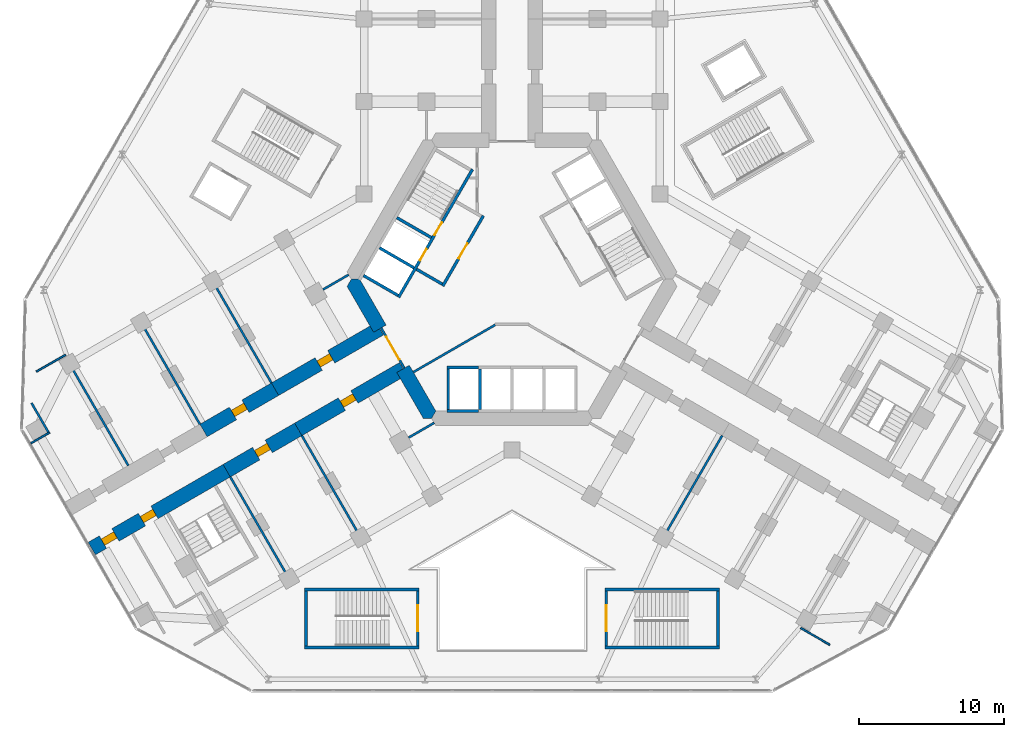
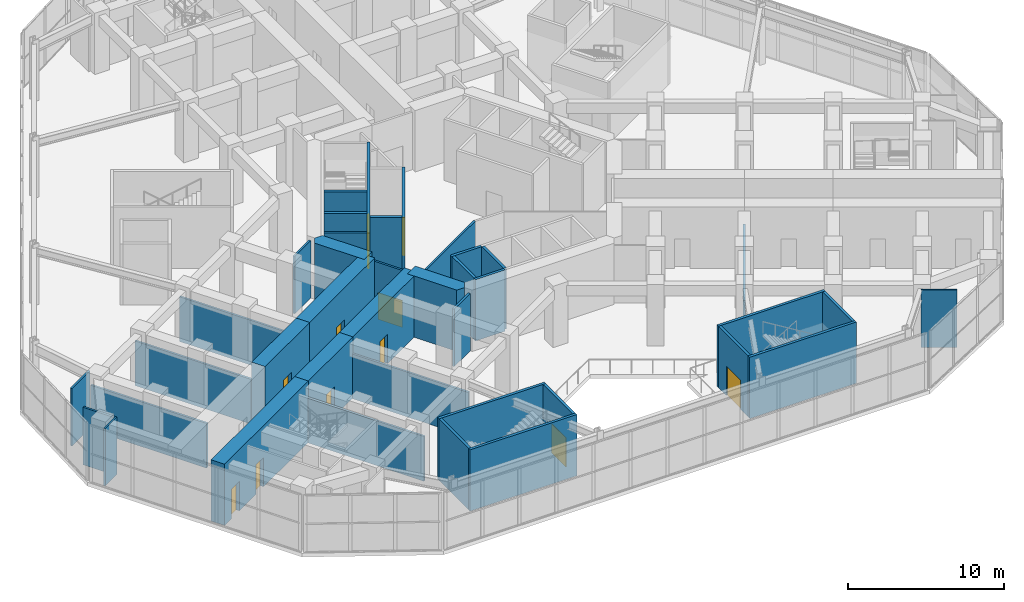
# One storey, part 15 of 21: 39 walls, 12 doors, 12 openings.
"""IFC4 building model written with IfcOpenShell, lengths in metres."""

import ifcopenshell
import ifcopenshell.guid

model = None  # the IFC model being written
_history = None  # IfcOwnerHistory: only IFC2X3 demands one
_inside = {}  # id of a spatial element -> (the spatial element, [elements in it])
_under = {}  # id of a project, library or spatial element -> (it, [spatial elements below it])
_declared = {}  # id of a project -> (the project, [libraries it declares])
_typed = {}  # id of a type object -> (the type object, [elements of that type])
_made_of = {}  # id of a material, layer set ... -> (it, [elements and type objects made of it])


def new_model(schema):
    """Start an empty IFC model of exactly this schema.

    Asked for "IFC4X3", IfcOpenShell would pick the latest addendum, in which some entities
    have other attributes; the version numbers below select the first issue.
    IFC2X3 requires an IfcOwnerHistory on every rooted entity: one is made here for all.
    """
    global model, _history
    if schema == "IFC4X3":
        model = ifcopenshell.file(schema_version=(4, 3, 0, 0))
    else:
        model = ifcopenshell.file(schema=schema)
    _inside.clear()
    _under.clear()
    _declared.clear()
    _typed.clear()
    _made_of.clear()
    _history = None
    if model.schema == "IFC2X3":
        org = make("IfcOrganization", Name="unknown")
        user = make(
            "IfcPersonAndOrganization",
            ThePerson=make("IfcPerson", FamilyName="unknown"),
            TheOrganization=org,
        )
        app = make(
            "IfcApplication",
            ApplicationDeveloper=org,
            Version="unknown",
            ApplicationFullName="unknown",
            ApplicationIdentifier="unknown",
        )
        _history = make(
            "IfcOwnerHistory",
            OwningUser=user,
            OwningApplication=app,
            ChangeAction="ADDED",
            CreationDate=0,
        )
    return model


def make(cls, **values):
    """One entity of the class cls with the attributes given. An attribute that is None is left unset."""
    return model.create_entity(
        cls, **{name: value for name, value in values.items() if value is not None}
    )


def rooted(cls, **values):
    """An entity with a GlobalId (a new one), such as an element, a storey or a relation."""
    return make(cls, GlobalId=ifcopenshell.guid.new(), OwnerHistory=_history, **values)


def si_unit(unit_type, name, prefix=None):
    """IfcSIUnit, for example si_unit("LENGTHUNIT", "METRE", prefix="MILLI")."""
    return make("IfcSIUnit", UnitType=unit_type, Prefix=prefix, Name=name)


def assignment(units):
    """IfcUnitAssignment: the units of a project."""
    return None if units is None else make("IfcUnitAssignment", Units=units)


def point(xyz):
    """IfcCartesianPoint."""
    return None if xyz is None else make("IfcCartesianPoint", Coordinates=xyz)


def direction(xyz):
    """IfcDirection."""
    return None if xyz is None else make("IfcDirection", DirectionRatios=xyz)


def frame(location, z_axis=None, x_axis=None):
    """IfcAxis2Placement3D, a coordinate frame: its origin and axes. An axis left out is left unset."""
    return make(
        "IfcAxis2Placement3D",
        Location=point(location),
        Axis=direction(z_axis),
        RefDirection=direction(x_axis),
    )


def frame_2d(location, x_axis=None):
    """IfcAxis2Placement2D, a coordinate frame in the plane: its origin and x axis."""
    return make(
        "IfcAxis2Placement2D", Location=point(location), RefDirection=direction(x_axis)
    )


def origin():
    """The frame at (0, 0, 0) with its axes left unset."""
    return frame((0.0, 0.0, 0.0))


def place(relative_to, where):
    """IfcLocalPlacement: puts the frame where relative to a parent placement (None: the world)."""
    return make(
        "IfcLocalPlacement", PlacementRelTo=relative_to, RelativePlacement=where
    )


def context(
    kind, dimensions, precision=None, world=None, true_north=None, identifier=None
):
    """IfcGeometricRepresentationContext, for example the 3D "Model" context."""
    return make(
        "IfcGeometricRepresentationContext",
        ContextIdentifier=identifier,
        ContextType=kind,
        CoordinateSpaceDimension=dimensions,
        Precision=precision,
        WorldCoordinateSystem=world,
        TrueNorth=true_north,
    )


def subcontext(parent, identifier, kind, view, scale=None):
    """IfcGeometricRepresentationSubContext, for example "Body" below "Model"."""
    return make(
        "IfcGeometricRepresentationSubContext",
        ContextIdentifier=identifier,
        ContextType=kind,
        ParentContext=parent,
        TargetScale=scale,
        TargetView=view,
    )


def project(units=None, contexts=None):
    """IfcProject with its units and contexts."""
    return rooted(
        "IfcProject",
        Name="project",
        RepresentationContexts=contexts,
        UnitsInContext=assignment(units),
    )


def spatial(cls, under=None, at=None, **own):
    """A site, building, storey or space (cls), placed at a placement, below another one or the project."""
    s = rooted(cls, ObjectPlacement=at, **own)
    if under is not None:
        _under.setdefault(under.id(), (under, []))[1].append(s)
    return s


def polyline(points):
    """IfcPolyline through the points."""
    return make("IfcPolyline", Points=[point(p) for p in points])


def profile(cls, at=None, kind="AREA", **sizes):
    """A parametric profile (cls). Its sizes go by their IFC names, for example OverallWidth=200.0."""
    return make(cls, ProfileType=kind, Position=at, **sizes)


def rectangle(**sizes):
    """IfcRectangleProfileDef."""
    return profile("IfcRectangleProfileDef", **sizes)


def outline(outer, holes=None, kind="AREA"):
    """IfcArbitraryClosedProfileDef: a profile drawn as a closed curve; with holes, ...WithVoids."""
    if holes is None:
        return make("IfcArbitraryClosedProfileDef", ProfileType=kind, OuterCurve=outer)
    return make(
        "IfcArbitraryProfileDefWithVoids",
        ProfileType=kind,
        OuterCurve=outer,
        InnerCurves=holes,
    )


def extrude(swept, where, along, depth):
    """IfcExtrudedAreaSolid: the profile swept, set in the frame where, extruded along a direction by depth."""
    return make(
        "IfcExtrudedAreaSolid",
        SweptArea=swept,
        Position=where,
        ExtrudedDirection=direction(along),
        Depth=depth,
    )


def shape(context_of_items, identifier, shape_type, items):
    """IfcShapeRepresentation: the items that make up one representation, for example the "Body"."""
    return make(
        "IfcShapeRepresentation",
        ContextOfItems=context_of_items,
        RepresentationIdentifier=identifier,
        RepresentationType=shape_type,
        Items=items,
    )


def material(Name=None, Category=None):
    """IfcMaterial."""
    return make("IfcMaterial", Name=Name, Category=Category)


def layer(
    of_material, thickness, ventilated=None, Name=None, Category=None, Priority=None
):
    """IfcMaterialLayer: one layer of a wall or slab, of a material (None: an air gap)."""
    return make(
        "IfcMaterialLayer",
        Material=of_material,
        LayerThickness=thickness,
        IsVentilated=ventilated,
        Name=Name,
        Category=Category,
        Priority=Priority,
    )


def layer_set(layers, Name=None):
    """IfcMaterialLayerSet."""
    return make("IfcMaterialLayerSet", MaterialLayers=layers, LayerSetName=Name)


def made_of(thing, what):
    """Note that an element or type object is made of a material, layer set ...; save() writes the relation."""
    if what is not None:
        _made_of.setdefault(what.id(), (what, []))[1].append(thing)
    return thing


def type_object(cls, material=None, **own):
    """A type object (cls), such as IfcWallType, which elements share."""
    return made_of(rooted(cls, **own), material)


def element(
    cls,
    number,
    at=None,
    inside=None,
    cuts=None,
    type_object=None,
    material=None,
    context=None,
    identifier="Body",
    shape_type=None,
    held_by="IfcProductDefinitionShape",
    body=None,
    shapes=None,
    **own,
):
    """One element of the class cls, such as IfcWall. Its Tag is "e" and its number.

    at: its placement. inside: the storey or other place that contains it. cuts: it is an
    opening in that element (IfcRelVoidsElement). A single representation is given by context,
    identifier, shape_type and body (its items); several are given by shapes. held_by: the class
    of the entity that holds the representations. save() writes the other relations.
    """
    e = rooted(cls, Tag="e%d" % number, ObjectPlacement=at, **own)
    if body is not None:
        shapes = [shape(context, identifier, shape_type, body)]
    if shapes is not None:
        e.Representation = make(held_by, Representations=shapes)
    if inside is not None:
        _inside.setdefault(inside.id(), (inside, []))[1].append(e)
    if cuts is not None:
        rooted(
            "IfcRelVoidsElement", RelatingBuildingElement=cuts, RelatedOpeningElement=e
        )
    if type_object is not None:
        _typed.setdefault(type_object.id(), (type_object, []))[1].append(e)
    return made_of(e, material)


def fill(opening, filler):
    """IfcRelFillsElement: the door or window that sits in an opening."""
    return rooted(
        "IfcRelFillsElement",
        RelatingOpeningElement=opening,
        RelatedBuildingElement=filler,
    )


def aggregate(whole, parts):
    """IfcRelAggregates: a whole, such as a stair, and the parts it consists of."""
    return rooted("IfcRelAggregates", RelatingObject=whole, RelatedObjects=parts)


def save(model, path):
    """Write the relations noted so far, then the file.

    IfcRelAggregates (storeys below a building ...), IfcRelContainedInSpatialStructure (elements
    in a storey), IfcRelDefinesByType, IfcRelAssociatesMaterial and IfcRelDeclares: one each for
    every whole, place, type object, material and project.
    """
    for whole, parts in _under.values():
        aggregate(whole, parts)
    for where, things in _inside.values():
        rooted(
            "IfcRelContainedInSpatialStructure",
            RelatedElements=things,
            RelatingStructure=where,
        )
    for kind, things in _typed.values():
        rooted("IfcRelDefinesByType", RelatedObjects=things, RelatingType=kind)
    for what, things in _made_of.values():
        rooted("IfcRelAssociatesMaterial", RelatedObjects=things, RelatingMaterial=what)
    for by, libraries in _declared.values():
        rooted("IfcRelDeclares", RelatingContext=by, RelatedDefinitions=libraries)
    model.write(path)


model = new_model("IFC4")

# Units and contexts
model_context = context("Model", 3, precision=1e-05, world=origin(), true_north=direction((0.0, 1.0)))
body_context = subcontext(model_context, "Body", "Model", "MODEL_VIEW")
ifc_project = project(units=[si_unit("LENGTHUNIT", "METRE"), si_unit("AREAUNIT", "SQUARE_METRE"), si_unit("VOLUMEUNIT", "CUBIC_METRE"), si_unit("PLANEANGLEUNIT", "RADIAN"), si_unit("MASSUNIT", "GRAM", prefix="KILO")], contexts=[model_context])

# Site, building, storey
site_placement = place(None, origin())
site = spatial("IfcSite", under=ifc_project, at=site_placement, CompositionType="ELEMENT")
building_placement = place(site_placement, origin())
building = spatial("IfcBuilding", under=site, at=building_placement, Name="Kosmar Iwan School Tower", CompositionType="ELEMENT")
storey_placement = place(building_placement, frame((0.0, 0.0, 6.0)))
storey = spatial("IfcBuildingStorey", under=building, at=storey_placement, Name="L01", CompositionType="ELEMENT", Elevation=6.0)

# Walls
ifc_material_1 = material(Name="Gypsum board on steel studs, fire-rated", Category="steel")
ifc_layer_1 = layer(ifc_material_1, 0.14990234375)
ifc_layer_set_1 = layer_set([ifc_layer_1], Name="Core room partition 150")
wall_type_1 = type_object("IfcWallType", Name="Core room partition 150", PredefinedType="PARTITIONING", material=ifc_layer_set_1)
wall_1_placement = place(storey_placement, frame((-6.801513671875, -6.409423828125, 0.0), z_axis=(0.0, 0.0, 1.0), x_axis=(0.866030697632, 0.499990830675, 0.0)))
element("IfcWall", 1, at=wall_1_placement, inside=storey, type_object=wall_type_1, Name="Core room partition L01-CW4", PredefinedType="PARTITIONING", context=body_context, shape_type="SweptSolid", body=[
    extrude(rectangle(XDim=6.667236328125, YDim=0.14990234375, at=frame_2d((3.33349609375, 0.0))), origin(), (0.0, 0.0, 1.0), 4.5),
])
ifc_material_2 = material(Name="Concrete C50/60", Category="concrete")
ifc_layer_2 = layer(ifc_material_2, 1.0)
ifc_layer_set_2 = layer_set([ifc_layer_2], Name="Core wall 1000")
wall_type_2 = type_object("IfcWallType", Name="Core wall 1000", PredefinedType="SHEAR", material=ifc_layer_set_2)
wall_2_placement = place(storey_placement, origin())
element("IfcWall", 2, at=wall_2_placement, inside=storey, type_object=wall_type_2, Name="Core wall F210a", PredefinedType="SHEAR", context=body_context, shape_type="SweptSolid", body=[
    extrude(outline(polyline([(-9.546875, -3.664306640625), (-8.680908203125, -3.164306640625), (-10.5078125, 0.0), (-11.085205078125, 0.0), (-11.373779296875, -0.5), (-9.546875, -3.664306640625)])), origin(), (0.0, 0.0, 1.0), 4.800048828125),
])
wall_3_placement = place(storey_placement, origin())
element("IfcWall", 3, at=wall_3_placement, inside=storey, type_object=wall_type_2, Name="Core wall F210b", PredefinedType="SHEAR", context=body_context, shape_type="SweptSolid", body=[
    extrude(outline(polyline([(-6.119873046875, -9.60009765625), (-5.54248046875, -9.60009765625), (-5.25390625, -9.10009765625), (-7.080810546875, -5.935546875), (-7.94677734375, -6.435546875), (-6.119873046875, -9.60009765625)])), origin(), (0.0, 0.0, 1.0), 4.800048828125),
])

# Wall, opening, door
ifc_material_3 = material(Name="Concrete C50/60", Category="concrete")
ifc_layer_3 = layer(ifc_material_3, 1.0)
ifc_layer_set_3 = layer_set([ifc_layer_3], Name="Corridor buttress wall 1000")
wall_type_3 = type_object("IfcWallType", Name="Corridor buttress wall 1000", PredefinedType="SHEAR", material=ifc_layer_set_3)
wall_4_placement = place(storey_placement, frame((-7.513916015625, -6.185546875, 0.0), z_axis=(0.0, 0.0, 1.0), x_axis=(-0.866019549707, -0.500010139422, 0.0)))
wall_4 = element("IfcWall", 4, at=wall_4_placement, inside=storey, type_object=wall_type_3, Name="Corridor wall BL", PredefinedType="SHEAR", context=body_context, shape_type="SweptSolid", body=[
    extrude(rectangle(XDim=8.349853515625, YDim=1.0, at=frame_2d((4.1748046875, 0.0))), origin(), (0.0, 0.0, 1.0), 4.800048828125),
])
opening_1_placement = place(wall_4_placement, frame((3.875, 0.0, 0.0)))
opening_1 = element("IfcOpeningElement", 5, at=opening_1_placement, cuts=wall_4, Name="Opening D4", PredefinedType="OPENING", context=body_context, shape_type="SweptSolid", body=[
    extrude(rectangle(XDim=1.0, YDim=2.300048828125, at=frame_2d((0.5, 1.14990234375))), frame((0.0, 0.511962890625, 0.0), z_axis=(0.0, -1.0, 0.0), x_axis=(1.0, 0.0, 0.0)), (0.0, 0.0, 1.0), 1.02392578125),
])
ifc_material_4 = material(Name="Timber fire door with vision panel", Category="wood")
door_type_1 = type_object("IfcDoorType", Name="Classroom door 1000x2300", OperationType="SINGLE_SWING_LEFT", PredefinedType="DOOR", material=ifc_material_4)
door_1_placement = place(opening_1_placement, origin())
door_1 = element("IfcDoor", 6, at=door_1_placement, inside=storey, type_object=door_type_1, Name="Kindergarten group room BL1 door L01-BL1", OperationType="SINGLE_SWING_RIGHT", OverallHeight=2.300048828125, OverallWidth=1.0, PredefinedType="DOOR", context=body_context, shape_type="SweptSolid", body=[
    extrude(rectangle(XDim=1.0, YDim=2.300048828125, at=frame_2d((0.5, 1.14990234375))), frame((0.0, 0.25, 0.0), z_axis=(0.0, -1.0, 0.0), x_axis=(1.0, 0.0, 0.0)), (0.0, 0.0, 1.0), 0.5),
])
fill(opening_1, door_1)

wall_5_placement = place(storey_placement, frame((-14.7451171875, -10.360595703125, 0.0), z_axis=(0.0, 0.0, 1.0), x_axis=(-0.866015111908, -0.50001782563, 0.0)))
wall_5 = element("IfcWall", 7, at=wall_5_placement, inside=storey, type_object=wall_type_3, Name="Corridor wall BL bay 2", PredefinedType="SHEAR", context=body_context, shape_type="SweptSolid", body=[
    extrude(rectangle(XDim=5.699951171875, YDim=1.0, at=frame_2d((2.85009765625, 0.0))), origin(), (0.0, 0.0, 1.0), 4.800048828125),
])
opening_2_placement = place(wall_5_placement, frame((2.35009765625, 0.0, 0.0)))
opening_2 = element("IfcOpeningElement", 8, at=opening_2_placement, cuts=wall_5, Name="Opening D4", PredefinedType="OPENING", context=body_context, shape_type="SweptSolid", body=[
    extrude(rectangle(XDim=1.0, YDim=2.300048828125, at=frame_2d((0.5, 1.14990234375))), frame((0.0, 0.511962890625, 0.0), z_axis=(0.0, -1.0, 0.0), x_axis=(1.0, 0.0, 0.0)), (0.0, 0.0, 1.0), 1.02392578125),
])
door_2_placement = place(opening_2_placement, origin())
door_2 = element("IfcDoor", 9, at=door_2_placement, inside=storey, type_object=door_type_1, Name="Kindergarten group room BL2 door L01-BL2", OperationType="SINGLE_SWING_LEFT", OverallHeight=2.300048828125, OverallWidth=1.0, PredefinedType="DOOR", context=body_context, shape_type="SweptSolid", body=[
    extrude(rectangle(XDim=1.0, YDim=2.300048828125, at=frame_2d((0.5, 1.14990234375))), frame((0.0, 0.25, 0.0), z_axis=(0.0, -1.0, 0.0), x_axis=(1.0, 0.0, 0.0)), (0.0, 0.0, 1.0), 0.5),
])
fill(opening_2, door_2)

# Wall, openings, doors
wall_6_placement = place(storey_placement, frame((-19.681396484375, -13.210693359375, 0.0), z_axis=(0.0, 0.0, 1.0), x_axis=(-0.866028186671, -0.499995179869, 0.0)))
wall_6 = element("IfcWall", 10, at=wall_6_placement, inside=storey, type_object=wall_type_3, Name="Corridor wall BL bay 3", PredefinedType="SHEAR", context=body_context, shape_type="SweptSolid", body=[
    extrude(rectangle(XDim=10.7451171875, YDim=1.0, at=frame_2d((5.37255859375, 0.0))), origin(), (0.0, 0.0, 1.0), 4.800048828125),
])
opening_3_placement = place(wall_6_placement, frame((5.75, 0.0, 0.0)))
opening_3 = element("IfcOpeningElement", 11, at=opening_3_placement, cuts=wall_6, Name="Opening D4", PredefinedType="OPENING", context=body_context, shape_type="SweptSolid", body=[
    extrude(rectangle(XDim=1.0, YDim=2.300048828125, at=frame_2d((0.5, 1.14990234375))), frame((0.0, 0.511962890625, 0.0), z_axis=(0.0, -1.0, 0.0), x_axis=(1.0, 0.0, 0.0)), (0.0, 0.0, 1.0), 1.02392578125),
])
opening_4_placement = place(wall_6_placement, frame((8.860107421875, 0.0, 0.0)))
opening_4 = element("IfcOpeningElement", 12, at=opening_4_placement, cuts=wall_6, Name="Opening D4", PredefinedType="OPENING", context=body_context, shape_type="SweptSolid", body=[
    extrude(rectangle(XDim=1.0, YDim=2.300048828125, at=frame_2d((0.5, 1.14990234375))), frame((0.0, 0.511962890625, 0.0), z_axis=(0.0, -1.0, 0.0), x_axis=(1.0, 0.0, 0.0)), (0.0, 0.0, 1.0), 1.02392578125),
])
door_3_placement = place(opening_3_placement, origin())
door_3 = element("IfcDoor", 13, at=door_3_placement, inside=storey, type_object=door_type_1, Name="Kindergarten group room BL3 door L01-BL3", OperationType="SINGLE_SWING_LEFT", OverallHeight=2.300048828125, OverallWidth=1.0, PredefinedType="DOOR", context=body_context, shape_type="SweptSolid", body=[
    extrude(rectangle(XDim=1.0, YDim=2.300048828125, at=frame_2d((0.5, 1.14990234375))), frame((0.0, 0.25, 0.0), z_axis=(0.0, -1.0, 0.0), x_axis=(1.0, 0.0, 0.0)), (0.0, 0.0, 1.0), 0.5),
])
fill(opening_3, door_3)
door_4_placement = place(opening_4_placement, origin())
door_4 = element("IfcDoor", 14, at=door_4_placement, inside=storey, type_object=door_type_1, Name="Toilets door L01-BL4", OperationType="SINGLE_SWING_RIGHT", OverallHeight=2.300048828125, OverallWidth=1.0, PredefinedType="DOOR", context=body_context, shape_type="SweptSolid", body=[
    extrude(rectangle(XDim=1.0, YDim=2.300048828125, at=frame_2d((0.5, 1.14990234375))), frame((0.0, 0.25, 0.0), z_axis=(0.0, -1.0, 0.0), x_axis=(1.0, 0.0, 0.0)), (0.0, 0.0, 1.0), 0.5),
])
fill(opening_4, door_4)

# Wall, opening, door
wall_7_placement = place(storey_placement, frame((-9.11376953125, -3.414306640625, 0.0), z_axis=(0.0, 0.0, 1.0), x_axis=(-0.866026859388, -0.499997478812, 0.0)))
wall_7 = element("IfcWall", 15, at=wall_7_placement, inside=storey, type_object=wall_type_3, Name="Corridor wall BR", PredefinedType="SHEAR", context=body_context, shape_type="SweptSolid", body=[
    extrude(rectangle(XDim=8.35009765625, YDim=1.0, at=frame_2d((4.175048828125, 0.0))), origin(), (0.0, 0.0, 1.0), 4.800048828125),
])
opening_5_placement = place(wall_7_placement, frame((3.875, 0.0, 0.0)))
opening_5 = element("IfcOpeningElement", 16, at=opening_5_placement, cuts=wall_7, Name="Opening D4", PredefinedType="OPENING", context=body_context, shape_type="SweptSolid", body=[
    extrude(rectangle(XDim=1.0, YDim=2.300048828125, at=frame_2d((0.5, 1.14990234375))), frame((0.0, 0.511962890625, 0.0), z_axis=(0.0, -1.0, 0.0), x_axis=(1.0, 0.0, 0.0)), (0.0, 0.0, 1.0), 1.02392578125),
])
door_5_placement = place(opening_5_placement, origin())
door_5 = element("IfcDoor", 17, at=door_5_placement, inside=storey, type_object=door_type_1, Name="Kindergarten group room BR1 door L01-BR1", OperationType="SINGLE_SWING_RIGHT", OverallHeight=2.300048828125, OverallWidth=1.0, PredefinedType="DOOR", context=body_context, shape_type="SweptSolid", body=[
    extrude(rectangle(XDim=1.0, YDim=2.300048828125, at=frame_2d((0.5, 1.14990234375))), frame((0.0, 0.25, 0.0), z_axis=(0.0, -1.0, 0.0), x_axis=(1.0, 0.0, 0.0)), (0.0, 0.0, 1.0), 0.5),
])
fill(opening_5, door_5)

wall_8_placement = place(storey_placement, frame((-16.34521484375, -7.58935546875, 0.0), z_axis=(0.0, 0.0, 1.0), x_axis=(-0.866015111908, -0.50001782563, 0.0)))
wall_8 = element("IfcWall", 18, at=wall_8_placement, inside=storey, type_object=wall_type_3, Name="Corridor wall BR bay 2", PredefinedType="SHEAR", context=body_context, shape_type="SweptSolid", body=[
    extrude(rectangle(XDim=5.699951171875, YDim=1.0, at=frame_2d((2.85009765625, 0.0))), origin(), (0.0, 0.0, 1.0), 4.800048828125),
])
opening_6_placement = place(wall_8_placement, frame((2.35009765625, 0.0, 0.0)))
opening_6 = element("IfcOpeningElement", 19, at=opening_6_placement, cuts=wall_8, Name="Opening D4", PredefinedType="OPENING", context=body_context, shape_type="SweptSolid", body=[
    extrude(rectangle(XDim=1.0, YDim=2.300048828125, at=frame_2d((0.5, 1.14990234375))), frame((0.0, 0.511962890625, 0.0), z_axis=(0.0, -1.0, 0.0), x_axis=(1.0, 0.0, 0.0)), (0.0, 0.0, 1.0), 1.02392578125),
])
door_6_placement = place(opening_6_placement, origin())
door_6 = element("IfcDoor", 20, at=door_6_placement, inside=storey, type_object=door_type_1, Name="Kindergarten group room BR2 door L01-BR2", OperationType="SINGLE_SWING_RIGHT", OverallHeight=2.300048828125, OverallWidth=1.0, PredefinedType="DOOR", context=body_context, shape_type="SweptSolid", body=[
    extrude(rectangle(XDim=1.0, YDim=2.300048828125, at=frame_2d((0.5, 1.14990234375))), frame((0.0, 0.25, 0.0), z_axis=(0.0, -1.0, 0.0), x_axis=(1.0, 0.0, 0.0)), (0.0, 0.0, 1.0), 0.5),
])
fill(opening_6, door_6)

ifc_material_5 = material(Name="Steel framed glazed screen", Category="steel")
ifc_layer_4 = layer(ifc_material_5, 0.14990234375)
ifc_layer_set_4 = layer_set([ifc_layer_4], Name="Corridor screen wall 150")
wall_type_4 = type_object("IfcWallType", Name="Corridor screen wall 150", PredefinedType="PARTITIONING", material=ifc_layer_set_4)
wall_9_placement = place(storey_placement, frame((-9.02734375, -3.3642578125, 0.0), z_axis=(0.0, 0.0, 1.0), x_axis=(0.499995408039, -0.866028054938, 0.0)))
wall_9 = element("IfcWall", 21, at=wall_9_placement, inside=storey, type_object=wall_type_4, Name="Corridor screen B L01", PredefinedType="PARTITIONING", context=body_context, shape_type="SweptSolid", body=[
    extrude(rectangle(XDim=3.2001953125, YDim=0.14990234375, at=frame_2d((1.60009765625, 0.0))), origin(), (0.0, 0.0, 1.0), 4.5),
])
opening_7_placement = place(wall_9_placement, frame((0.699951171875, 0.0, 0.0)))
opening_7 = element("IfcOpeningElement", 22, at=opening_7_placement, cuts=wall_9, Name="Opening D9", PredefinedType="OPENING", context=body_context, shape_type="SweptSolid", body=[
    extrude(rectangle(XDim=1.800048828125, YDim=2.10009765625, at=frame_2d((0.89990234375, 1.050048828125))), frame((0.0, 0.0869140625, 0.0), z_axis=(0.0, -1.0, 0.0), x_axis=(1.0, 0.0, 0.0)), (0.0, 0.0, 1.0), 0.173828125),
])
ifc_material_6 = material(Name="Steel framed glazed smoke door", Category="steel")
door_type_2 = type_object("IfcDoorType", Name="Corridor smoke door pair 1800x2100", OperationType="DOUBLE_DOOR_DOUBLE_SWING", PredefinedType="DOOR", material=ifc_material_6)
door_7_placement = place(opening_7_placement, origin())
door_7 = element("IfcDoor", 23, at=door_7_placement, inside=storey, type_object=door_type_2, Name="Corridor doors B L01", OperationType="DOUBLE_DOOR_DOUBLE_SWING", OverallHeight=2.10009765625, OverallWidth=1.800048828125, PredefinedType="DOOR", context=body_context, shape_type="SweptSolid", body=[
    extrude(rectangle(XDim=1.800048828125, YDim=2.10009765625, at=frame_2d((0.89990234375, 1.050048828125))), frame((0.0, 0.02490234375, 0.0), z_axis=(0.0, -1.0, 0.0), x_axis=(1.0, 0.0, 0.0)), (0.0, 0.0, 1.0), 0.050048828125),
])
fill(opening_7, door_7)

# Walls
ifc_material_7 = material(Name="Gypsum board on steel studs", Category="steel")
ifc_layer_5 = layer(ifc_material_7, 0.1201171875)
ifc_layer_set_5 = layer_set([ifc_layer_5], Name="Dwelling partition 120")
wall_type_5 = type_object("IfcWallType", Name="Dwelling partition 120", PredefinedType="PARTITIONING", material=ifc_layer_set_5)
wall_10_placement = place(storey_placement, frame((-31.88720703125, -10.569580078125, 0.0), z_axis=(0.0, 0.0, 1.0), x_axis=(-0.866003374288, -0.500038154266, 0.0)))
element("IfcWall", 24, at=wall_10_placement, inside=storey, type_object=wall_type_5, Name="Partition L01-BR-DL", PredefinedType="PARTITIONING", context=body_context, shape_type="SweptSolid", body=[
    extrude(rectangle(XDim=1.4951171875, YDim=0.1201171875, at=frame_2d((0.74755859375, 0.0))), origin(), (0.0, 0.0, 1.0), 4.5),
])
wall_11_placement = place(storey_placement, frame((-30.79296875, -5.215087890625, 0.0), z_axis=(0.0, 0.0, 1.0), x_axis=(-0.865998469481, -0.500046648681, 0.0)))
element("IfcWall", 25, at=wall_11_placement, inside=storey, type_object=wall_type_5, Name="Partition L01-BR-TW", PredefinedType="PARTITIONING", context=body_context, shape_type="SweptSolid", body=[
    extrude(rectangle(XDim=2.324951171875, YDim=0.1201171875, at=frame_2d((1.16259765625, 0.0))), origin(), (0.0, 0.0, 1.0), 4.5),
])
wall_12_placement = place(storey_placement, frame((19.912841796875, -24.059814453125, 0.0), z_axis=(0.0, 0.0, 1.0), x_axis=(0.866024722723, -0.500001179632, 0.0)))
element("IfcWall", 26, at=wall_12_placement, inside=storey, type_object=wall_type_5, Name="Partition L01-CR-TW", PredefinedType="PARTITIONING", context=body_context, shape_type="SweptSolid", body=[
    extrude(rectangle(XDim=2.3251953125, YDim=0.1201171875, at=frame_2d((1.16259765625, 0.0))), origin(), (0.0, 0.0, 1.0), 4.5),
])

# Wall, opening, door
ifc_material_8 = material(Name="Concrete block masonry", Category="masonry")
ifc_layer_6 = layer(ifc_material_8, 0.199951171875)
ifc_layer_set_6 = layer_set([ifc_layer_6], Name="Fire lobby wall 200")
wall_type_6 = type_object("IfcWallType", Name="Fire lobby wall 200", PredefinedType="PARTITIONING", material=ifc_layer_set_6)
wall_13_placement = place(storey_placement, frame((-1.9775390625, 4.374755859375, 0.0), z_axis=(0.0, 0.0, 1.0), x_axis=(-0.500016814911, -0.866015695474, 0.0)))
wall_13 = element("IfcWall", 27, at=wall_13_placement, inside=storey, type_object=wall_type_6, Name="Firefighting lobby wall ST2", PredefinedType="PARTITIONING", context=body_context, shape_type="SweptSolid", body=[
    extrude(rectangle(XDim=5.599853515625, YDim=0.199951171875, at=frame_2d((2.7998046875, 0.0))), origin(), (0.0, 0.0, 1.0), 4.5),
])
opening_8_placement = place(wall_13_placement, frame((2.199951171875, 0.0, 0.0)))
opening_8 = element("IfcOpeningElement", 28, at=opening_8_placement, cuts=wall_13, Name="Opening D7", PredefinedType="OPENING", context=body_context, shape_type="SweptSolid", body=[
    extrude(rectangle(XDim=1.199951171875, YDim=2.10009765625, at=frame_2d((0.60009765625, 1.050048828125))), frame((0.0, 0.112060546875, 0.0), z_axis=(0.0, -1.0, 0.0), x_axis=(1.0, 0.0, 0.0)), (0.0, 0.0, 1.0), 0.223876953125),
])
ifc_material_9 = material(Name="Steel fire door", Category="steel")
door_type_3 = type_object("IfcDoorType", Name="Fire lobby door 1200x2100", OperationType="SINGLE_SWING_LEFT", PredefinedType="DOOR", material=ifc_material_9)
door_8_placement = place(opening_8_placement, origin())
door_8 = element("IfcDoor", 29, at=door_8_placement, inside=storey, type_object=door_type_3, Name="Firefighting lobby door ST2 L01", OperationType="SINGLE_SWING_LEFT", OverallHeight=2.10009765625, OverallWidth=1.199951171875, PredefinedType="DOOR", context=body_context, shape_type="SweptSolid", body=[
    extrude(rectangle(XDim=1.199951171875, YDim=2.10009765625, at=frame_2d((0.60009765625, 1.050048828125))), frame((0.0, 0.02490234375, 0.0), z_axis=(0.0, -1.0, 0.0), x_axis=(1.0, 0.0, 0.0)), (0.0, 0.0, 1.0), 0.050048828125),
])
fill(opening_8, door_8)

# Wall
wall_14_placement = place(storey_placement, frame((-4.814208984375, -0.33837890625, 0.0), z_axis=(0.0, 0.0, 1.0), x_axis=(-0.865969381856, 0.500097020274, 0.0)))
element("IfcWall", 30, at=wall_14_placement, inside=storey, type_object=wall_type_6, Name="Firefighting lobby wall ST2", PredefinedType="PARTITIONING", context=body_context, shape_type="SweptSolid", body=[
    extrude(rectangle(XDim=2.0498046875, YDim=0.199951171875, at=frame_2d((1.02490234375, 0.0))), origin(), (0.0, 0.0, 1.0), 4.5),
])

# Wall, openings, doors
ifc_material_10 = material(Name="Concrete C50/60", Category="concrete")
ifc_layer_7 = layer(ifc_material_10, 0.199951171875)
ifc_layer_set_7 = layer_set([ifc_layer_7], Name="Lift shaft wall 200")
wall_type_7 = type_object("IfcWallType", Name="Lift shaft wall 200", PredefinedType="SHEAR", material=ifc_layer_set_7)
wall_15_placement = place(storey_placement, frame((-2.72607421875, 7.578369140625, 0.0), z_axis=(0.0, 0.0, 1.0), x_axis=(-0.500005610874, -0.86602216432, 0.0)))
wall_15 = element("IfcWall", 31, at=wall_15_placement, inside=storey, type_object=wall_type_7, Name="Lift and stair front wall AB", PredefinedType="SHEAR", context=body_context, shape_type="SweptSolid", body=[
    extrude(rectangle(XDim=10.2001953125, YDim=0.199951171875, at=frame_2d((5.10009765625, 0.0))), origin(), (0.0, 0.0, 1.0), 4.800048828125),
])
opening_9_placement = place(wall_15_placement, frame((6.35009765625, 0.0, 0.0)))
opening_9 = element("IfcOpeningElement", 32, at=opening_9_placement, cuts=wall_15, Name="Opening LD2", PredefinedType="OPENING", context=body_context, shape_type="SweptSolid", body=[
    extrude(rectangle(XDim=0.89990234375, YDim=2.10009765625, at=frame_2d((0.449951171875, 1.050048828125))), frame((0.0, 0.112060546875, 0.0), z_axis=(0.0, -1.0, 0.0), x_axis=(1.0, 0.0, 0.0)), (0.0, 0.0, 1.0), 0.223876953125),
])
opening_10_placement = place(wall_15_placement, frame((4.22998046875, 0.0, 0.0)))
opening_10 = element("IfcOpeningElement", 33, at=opening_10_placement, cuts=wall_15, Name="Opening D6", PredefinedType="OPENING", context=body_context, shape_type="SweptSolid", body=[
    extrude(rectangle(XDim=1.0, YDim=2.10009765625, at=frame_2d((0.5, 1.050048828125))), frame((0.0, 0.112060546875, 0.0), z_axis=(0.0, -1.0, 0.0), x_axis=(1.0, 0.0, 0.0)), (0.0, 0.0, 1.0), 0.223876953125),
])
ifc_material_11 = material(Name="Stainless steel sliding lift door", Category="steel")
door_type_4 = type_object("IfcDoorType", Name="Firefighting lift landing door 900x2100", OperationType="SLIDING_TO_LEFT", PredefinedType="DOOR", material=ifc_material_11)
door_9_placement = place(opening_9_placement, origin())
door_9 = element("IfcDoor", 34, at=door_9_placement, inside=storey, type_object=door_type_4, Name="Lift FF2 landing door L01", OperationType="SLIDING_TO_LEFT", OverallHeight=2.10009765625, OverallWidth=0.89990234375, PredefinedType="DOOR", context=body_context, shape_type="SweptSolid", body=[
    extrude(rectangle(XDim=0.89990234375, YDim=2.10009765625, at=frame_2d((0.449951171875, 1.050048828125))), frame((0.0, 0.02490234375, 0.0), z_axis=(0.0, -1.0, 0.0), x_axis=(1.0, 0.0, 0.0)), (0.0, 0.0, 1.0), 0.050048828125),
])
fill(opening_9, door_9)
ifc_material_12 = material(Name="Steel fire door", Category="steel")
door_type_5 = type_object("IfcDoorType", Name="Stair door 1000x2100", OperationType="SINGLE_SWING_LEFT", PredefinedType="DOOR", material=ifc_material_12)
door_10_placement = place(opening_10_placement, origin())
door_10 = element("IfcDoor", 35, at=door_10_placement, inside=storey, type_object=door_type_5, Name="Stair ST2 door L01", OperationType="SINGLE_SWING_LEFT", OverallHeight=2.10009765625, OverallWidth=1.0, PredefinedType="DOOR", context=body_context, shape_type="SweptSolid", body=[
    extrude(rectangle(XDim=1.0, YDim=2.10009765625, at=frame_2d((0.5, 1.050048828125))), frame((0.0, 0.02490234375, 0.0), z_axis=(0.0, -1.0, 0.0), x_axis=(1.0, 0.0, 0.0)), (0.0, 0.0, 1.0), 0.050048828125),
])
fill(opening_10, door_10)

# Walls
for number, where, z_axis, x_axis, name in (
    (36, (-6.7626953125, 0.78662109375, 0.0), (0.0, 0.0, 1.0), (-0.866027397988, 0.499996545922, 0.0), "Lift shaft wall AB 1"),
    (37, (-7.862548828125, -1.118408203125, 0.0), (0.0, 0.0, 1.0), (-0.866027397988, 0.499996545922, 0.0), "Lift shaft wall AB 2"),
):
    element("IfcWall", number, at=place(storey_placement, frame(where, z_axis=z_axis, x_axis=x_axis)), inside=storey, type_object=wall_type_7, Name=name, PredefinedType="SHEAR", context=body_context, shape_type="SweptSolid", body=[
        extrude(rectangle(XDim=2.75, YDim=0.199951171875, at=frame_2d((1.375, 0.0))), origin(), (0.0, 0.0, 1.0), 4.800048828125),
    ])
for number, where, z_axis, x_axis, name in (
    (38, (-4.5, -6.10009765625, 0.0), (0.0, 0.0, 1.0), (1.0, 0.0, 0.0), "Lift and stair front wall BC"),
    (39, (-4.5, -9.10009765625, 0.0), (0.0, 0.0, 1.0), (1.0, 0.0, 0.0), "Lift and stair back wall BC"),
):
    element("IfcWall", number, at=place(storey_placement, frame(where, z_axis=z_axis, x_axis=x_axis)), inside=storey, type_object=wall_type_7, Name=name, PredefinedType="SHEAR", context=body_context, shape_type="SweptSolid", body=[
        extrude(rectangle(XDim=2.199951171875, YDim=0.199951171875, at=frame_2d((1.10009765625, 0.0))), origin(), (0.0, 0.0, 1.0), 4.800048828125),
    ])
for number, where, z_axis, x_axis, name in (
    (40, (-4.39990234375, -6.199951171875, 0.0), (0.0, 0.0, 1.0), (0.0, -1.0, 0.0), "Lift shaft wall BC 0"),
    (41, (-2.199951171875, -6.199951171875, 0.0), (0.0, 0.0, 1.0), (0.0, -1.0, 0.0), "Lift shaft wall BC 1"),
):
    element("IfcWall", number, at=place(storey_placement, frame(where, z_axis=z_axis, x_axis=x_axis)), inside=storey, type_object=wall_type_7, Name=name, PredefinedType="SHEAR", context=body_context, shape_type="SweptSolid", body=[
        extrude(rectangle(XDim=2.800048828125, YDim=0.199951171875, at=frame_2d((1.39990234375, 0.0))), origin(), (0.0, 0.0, 1.0), 4.800048828125),
    ])
ifc_material_13 = material(Name="Gypsum board on steel studs", Category="steel")
ifc_layer_8 = layer(ifc_material_13, 0.14990234375)
ifc_layer_set_8 = layer_set([ifc_layer_8], Name="School partition 150")
wall_type_8 = type_object("IfcWallType", Name="School partition 150", PredefinedType="PARTITIONING", material=ifc_layer_set_8)
wall_16_placement = place(storey_placement, frame((-5.36376953125, -9.909423828125, 0.0), z_axis=(0.0, 0.0, 1.0), x_axis=(-0.865999163574, -0.500045446624, 0.0)))
element("IfcWall", 42, at=wall_16_placement, inside=storey, type_object=wall_type_8, Name="Partition L01-BL-NB", PredefinedType="PARTITIONING", context=body_context, shape_type="SweptSolid", body=[
    extrude(rectangle(XDim=2.050048828125, YDim=0.14990234375, at=frame_2d((1.02490234375, 0.0))), origin(), (0.0, 0.0, 1.0), 4.5),
])
wall_17_placement = place(storey_placement, frame((-14.4951171875, -10.793701171875, 0.0), z_axis=(0.0, 0.0, 1.0), x_axis=(0.500007509209, -0.866021068297, 0.0)))
element("IfcWall", 43, at=wall_17_placement, inside=storey, type_object=wall_type_8, Name="Partition L01-BL-X1", PredefinedType="PARTITIONING", context=body_context, shape_type="SweptSolid", body=[
    extrude(rectangle(XDim=8.599853515625, YDim=0.14990234375, at=frame_2d((4.2998046875, 0.0))), origin(), (0.0, 0.0, 1.0), 3.5),
])
wall_18_placement = place(storey_placement, frame((-19.431396484375, -13.6435546875, 0.0), z_axis=(0.0, 0.0, 1.0), x_axis=(0.499973925258, -0.86604045752, 0.0)))
element("IfcWall", 44, at=wall_18_placement, inside=storey, type_object=wall_type_8, Name="Partition L01-BL-X2", PredefinedType="PARTITIONING", context=body_context, shape_type="SweptSolid", body=[
    extrude(rectangle(XDim=8.60009765625, YDim=0.14990234375, at=frame_2d((4.300048828125, 0.0))), origin(), (0.0, 0.0, 1.0), 3.5),
])
wall_19_placement = place(storey_placement, frame((-11.263916015625, 0.3095703125, 0.0), z_axis=(0.0, 0.0, 1.0), x_axis=(-0.865999163574, -0.500045446624, 0.0)))
element("IfcWall", 45, at=wall_19_placement, inside=storey, type_object=wall_type_8, Name="Partition L01-BR-NB", PredefinedType="PARTITIONING", context=body_context, shape_type="SweptSolid", body=[
    extrude(rectangle(XDim=2.050048828125, YDim=0.14990234375, at=frame_2d((1.02490234375, 0.0))), origin(), (0.0, 0.0, 1.0), 4.5),
])
wall_20_placement = place(storey_placement, frame((-31.922119140625, -10.6591796875, 0.0), z_axis=(0.0, 0.0, 1.0), x_axis=(-0.500048010679, 0.865997683031, 0.0)))
element("IfcWall", 46, at=wall_20_placement, inside=storey, type_object=wall_type_8, Name="Partition L01-BR-DC", PredefinedType="PARTITIONING", context=body_context, shape_type="SweptSolid", body=[
    extrude(rectangle(XDim=2.445068359375, YDim=0.14990234375, at=frame_2d((1.22265625, 0.0))), origin(), (0.0, 0.0, 1.0), 4.5),
])
for number, where, z_axis, x_axis, name in (
    (47, (-16.59521484375, -7.15625, 0.0), (0.0, 0.0, 1.0), (-0.500007509209, 0.866021068297, 0.0), "Partition L01-BR-X1"),
    (48, (-21.531494140625, -10.00634765625, 0.0), (0.0, 0.0, 1.0), (-0.500007509209, 0.866021068297, 0.0), "Partition L01-BR-X2"),
):
    element("IfcWall", number, at=place(storey_placement, frame(where, z_axis=z_axis, x_axis=x_axis)), inside=storey, type_object=wall_type_8, Name=name, PredefinedType="PARTITIONING", context=body_context, shape_type="SweptSolid", body=[
        extrude(rectangle(XDim=8.599853515625, YDim=0.14990234375, at=frame_2d((4.2998046875, 0.0))), origin(), (0.0, 0.0, 1.0), 3.5),
    ])
wall_21_placement = place(storey_placement, frame((-26.4677734375, -12.8564453125, 0.0), z_axis=(0.0, 0.0, 1.0), x_axis=(-0.499995216735, 0.866028165386, 0.0)))
element("IfcWall", 49, at=wall_21_placement, inside=storey, type_object=wall_type_8, Name="Partition L01-BR-X3", PredefinedType="PARTITIONING", context=body_context, shape_type="SweptSolid", body=[
    extrude(rectangle(XDim=8.60009765625, YDim=0.14990234375, at=frame_2d((4.300048828125, 0.0))), origin(), (0.0, 0.0, 1.0), 3.5),
])
wall_22_placement = place(storey_placement, frame((14.4951171875, -10.793701171875, 0.0), z_axis=(0.0, 0.0, 1.0), x_axis=(-0.500007509209, -0.866021068297, 0.0)))
element("IfcWall", 50, at=wall_22_placement, inside=storey, type_object=wall_type_8, Name="Partition L01-CR-X1", PredefinedType="PARTITIONING", context=body_context, shape_type="SweptSolid", body=[
    extrude(rectangle(XDim=8.599853515625, YDim=0.14990234375, at=frame_2d((4.2998046875, 0.0))), origin(), (0.0, 0.0, 1.0), 3.5),
])
ifc_material_14 = material(Name="Concrete C50/60", Category="concrete")
ifc_layer_9 = layer(ifc_material_14, 0.199951171875)
ifc_layer_set_9 = layer_set([ifc_layer_9], Name="Stair enclosure wall 200")
wall_type_9 = type_object("IfcWallType", Name="Stair enclosure wall 200", PredefinedType="SHEAR", material=ifc_layer_set_9)
wall_23_placement = place(storey_placement, frame((-5.562744140625, 2.865234375, 0.0), z_axis=(0.0, 0.0, 1.0), x_axis=(-0.866027397988, 0.499996545922, 0.0)))
element("IfcWall", 51, at=wall_23_placement, inside=storey, type_object=wall_type_9, Name="Stair ST2 wall", PredefinedType="SHEAR", context=body_context, shape_type="SweptSolid", body=[
    extrude(rectangle(XDim=2.75, YDim=0.199951171875, at=frame_2d((1.375, 0.0))), origin(), (0.0, 0.0, 1.0), 4.800048828125),
])
for number, where, z_axis, x_axis, name in (
    (52, (-14.300048828125, -21.39990234375, 0.0), (0.0, 0.0, 1.0), (1.0, 0.0, 0.0), "School stair SS1 wall"),
    (53, (-14.300048828125, -25.39990234375, 0.0), (0.0, 0.0, 1.0), (1.0, 0.0, 0.0), "School stair SS1 wall"),
):
    element("IfcWall", number, at=place(storey_placement, frame(where, z_axis=z_axis, x_axis=x_axis)), inside=storey, type_object=wall_type_9, Name=name, PredefinedType="SHEAR", context=body_context, shape_type="SweptSolid", body=[
        extrude(rectangle(XDim=7.900146484375, YDim=0.199951171875, at=frame_2d((3.9501953125, 0.0))), origin(), (0.0, 0.0, 1.0), 4.800048828125),
    ])
wall_24_placement = place(storey_placement, frame((-14.199951171875, -21.5, 0.0), z_axis=(0.0, 0.0, 1.0), x_axis=(0.0, -1.0, 0.0)))
element("IfcWall", 54, at=wall_24_placement, inside=storey, type_object=wall_type_9, Name="School stair SS1 wall", PredefinedType="SHEAR", context=body_context, shape_type="SweptSolid", body=[
    extrude(rectangle(XDim=3.800048828125, YDim=0.199951171875, at=frame_2d((1.89990234375, 0.0))), origin(), (0.0, 0.0, 1.0), 4.800048828125),
])

# Wall, opening, door
wall_25_placement = place(storey_placement, frame((-6.5, -21.5, 0.0), z_axis=(0.0, 0.0, 1.0), x_axis=(0.0, -1.0, 0.0)))
wall_25 = element("IfcWall", 55, at=wall_25_placement, inside=storey, type_object=wall_type_9, Name="School stair SS1 wall", PredefinedType="SHEAR", context=body_context, shape_type="SweptSolid", body=[
    extrude(rectangle(XDim=3.800048828125, YDim=0.199951171875, at=frame_2d((1.89990234375, 0.0))), origin(), (0.0, 0.0, 1.0), 4.800048828125),
])
opening_11_placement = place(wall_25_placement, frame((1.0, 0.0, 0.0)))
opening_11 = element("IfcOpeningElement", 56, at=opening_11_placement, cuts=wall_25, Name="Opening D8", PredefinedType="OPENING", context=body_context, shape_type="SweptSolid", body=[
    extrude(rectangle(XDim=1.800048828125, YDim=2.300048828125, at=frame_2d((0.89990234375, 1.14990234375))), frame((0.0, 0.112060546875, 0.0), z_axis=(0.0, -1.0, 0.0), x_axis=(1.0, 0.0, 0.0)), (0.0, 0.0, 1.0), 0.223876953125),
])
ifc_material_15 = material(Name="Steel fire door", Category="steel")
door_type_6 = type_object("IfcDoorType", Name="School stair door pair 1800x2300", OperationType="DOUBLE_DOOR_SINGLE_SWING", PredefinedType="DOOR", material=ifc_material_15)
door_11_placement = place(opening_11_placement, origin())
door_11 = element("IfcDoor", 57, at=door_11_placement, inside=storey, type_object=door_type_6, Name="School stair SS1 door L01", OperationType="DOUBLE_DOOR_SINGLE_SWING", OverallHeight=2.300048828125, OverallWidth=1.800048828125, PredefinedType="DOOR", context=body_context, shape_type="SweptSolid", body=[
    extrude(rectangle(XDim=1.800048828125, YDim=2.300048828125, at=frame_2d((0.89990234375, 1.14990234375))), frame((0.0, 0.02490234375, 0.0), z_axis=(0.0, -1.0, 0.0), x_axis=(1.0, 0.0, 0.0)), (0.0, 0.0, 1.0), 0.050048828125),
])
fill(opening_11, door_11)

# Walls
for number, where, z_axis, x_axis, name in (
    (58, (6.39990234375, -21.39990234375, 0.0), (0.0, 0.0, 1.0), (1.0, 0.0, 0.0), "School stair SS2 wall"),
    (59, (6.39990234375, -25.39990234375, 0.0), (0.0, 0.0, 1.0), (1.0, 0.0, 0.0), "School stair SS2 wall"),
):
    element("IfcWall", number, at=place(storey_placement, frame(where, z_axis=z_axis, x_axis=x_axis)), inside=storey, type_object=wall_type_9, Name=name, PredefinedType="SHEAR", context=body_context, shape_type="SweptSolid", body=[
        extrude(rectangle(XDim=7.900146484375, YDim=0.199951171875, at=frame_2d((3.9501953125, 0.0))), origin(), (0.0, 0.0, 1.0), 4.800048828125),
    ])
wall_26_placement = place(storey_placement, frame((14.199951171875, -21.5, 0.0), z_axis=(0.0, 0.0, 1.0), x_axis=(0.0, -1.0, 0.0)))
element("IfcWall", 60, at=wall_26_placement, inside=storey, type_object=wall_type_9, Name="School stair SS2 wall", PredefinedType="SHEAR", context=body_context, shape_type="SweptSolid", body=[
    extrude(rectangle(XDim=3.800048828125, YDim=0.199951171875, at=frame_2d((1.89990234375, 0.0))), origin(), (0.0, 0.0, 1.0), 4.800048828125),
])

# Wall, opening, door
wall_27_placement = place(storey_placement, frame((6.5, -21.5, 0.0), z_axis=(0.0, 0.0, 1.0), x_axis=(0.0, -1.0, 0.0)))
wall_27 = element("IfcWall", 61, at=wall_27_placement, inside=storey, type_object=wall_type_9, Name="School stair SS2 wall", PredefinedType="SHEAR", context=body_context, shape_type="SweptSolid", body=[
    extrude(rectangle(XDim=3.800048828125, YDim=0.199951171875, at=frame_2d((1.89990234375, 0.0))), origin(), (0.0, 0.0, 1.0), 4.800048828125),
])
opening_12_placement = place(wall_27_placement, frame((1.0, 0.0, 0.0)))
opening_12 = element("IfcOpeningElement", 62, at=opening_12_placement, cuts=wall_27, Name="Opening D8", PredefinedType="OPENING", context=body_context, shape_type="SweptSolid", body=[
    extrude(rectangle(XDim=1.800048828125, YDim=2.300048828125, at=frame_2d((0.89990234375, 1.14990234375))), frame((0.0, 0.112060546875, 0.0), z_axis=(0.0, -1.0, 0.0), x_axis=(1.0, 0.0, 0.0)), (0.0, 0.0, 1.0), 0.223876953125),
])
door_12_placement = place(opening_12_placement, origin())
door_12 = element("IfcDoor", 63, at=door_12_placement, inside=storey, type_object=door_type_6, Name="School stair SS2 door L01", OperationType="DOUBLE_DOOR_SINGLE_SWING", OverallHeight=2.300048828125, OverallWidth=1.800048828125, PredefinedType="DOOR", context=body_context, shape_type="SweptSolid", body=[
    extrude(rectangle(XDim=1.800048828125, YDim=2.300048828125, at=frame_2d((0.89990234375, 1.14990234375))), frame((0.0, 0.02490234375, 0.0), z_axis=(0.0, -1.0, 0.0), x_axis=(1.0, 0.0, 0.0)), (0.0, 0.0, 1.0), 0.050048828125),
])
fill(opening_12, door_12)

save(model, "model.ifc")
